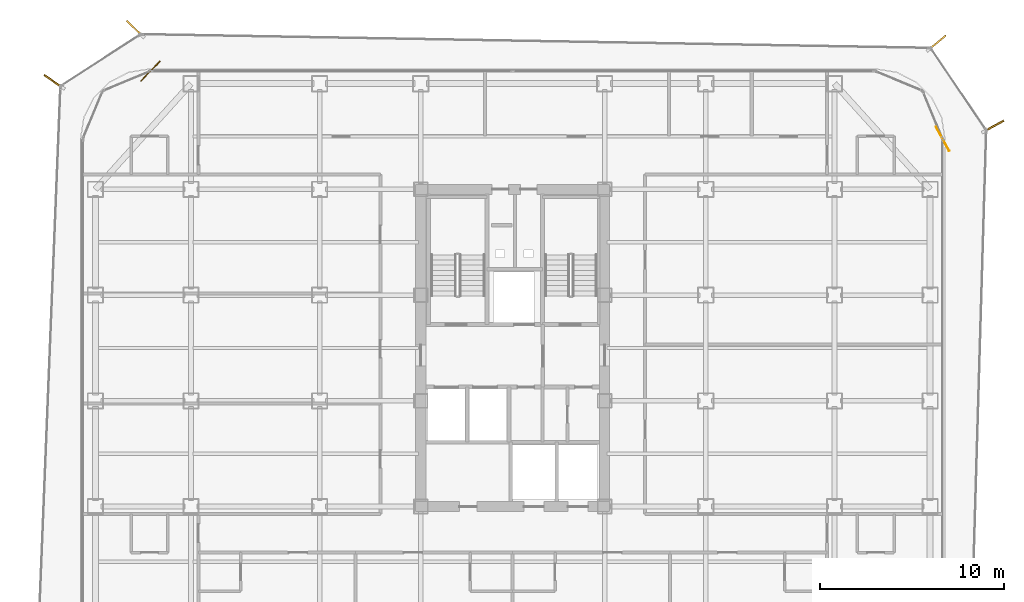
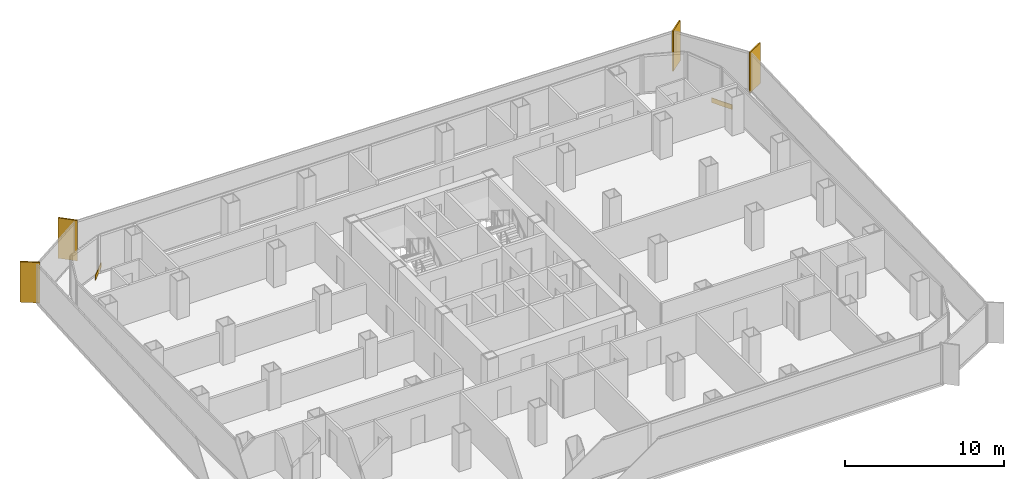
# One storey, part 21 of 21: 4 shading devices, 2 coverings.
"""IFC4 building model written with IfcOpenShell, lengths in metres."""

import ifcopenshell
import ifcopenshell.guid

model = None  # the IFC model being written
_history = None  # IfcOwnerHistory: only IFC2X3 demands one
_inside = {}  # id of a spatial element -> (the spatial element, [elements in it])
_under = {}  # id of a project, library or spatial element -> (it, [spatial elements below it])
_declared = {}  # id of a project -> (the project, [libraries it declares])
_typed = {}  # id of a type object -> (the type object, [elements of that type])
_made_of = {}  # id of a material, layer set ... -> (it, [elements and type objects made of it])


def new_model(schema):
    """Start an empty IFC model of exactly this schema.

    Asked for "IFC4X3", IfcOpenShell would pick the latest addendum, in which some entities
    have other attributes; the version numbers below select the first issue.
    IFC2X3 requires an IfcOwnerHistory on every rooted entity: one is made here for all.
    """
    global model, _history
    if schema == "IFC4X3":
        model = ifcopenshell.file(schema_version=(4, 3, 0, 0))
    else:
        model = ifcopenshell.file(schema=schema)
    _inside.clear()
    _under.clear()
    _declared.clear()
    _typed.clear()
    _made_of.clear()
    _history = None
    if model.schema == "IFC2X3":
        org = make("IfcOrganization", Name="unknown")
        user = make(
            "IfcPersonAndOrganization",
            ThePerson=make("IfcPerson", FamilyName="unknown"),
            TheOrganization=org,
        )
        app = make(
            "IfcApplication",
            ApplicationDeveloper=org,
            Version="unknown",
            ApplicationFullName="unknown",
            ApplicationIdentifier="unknown",
        )
        _history = make(
            "IfcOwnerHistory",
            OwningUser=user,
            OwningApplication=app,
            ChangeAction="ADDED",
            CreationDate=0,
        )
    return model


def make(cls, **values):
    """One entity of the class cls with the attributes given. An attribute that is None is left unset."""
    return model.create_entity(
        cls, **{name: value for name, value in values.items() if value is not None}
    )


def rooted(cls, **values):
    """An entity with a GlobalId (a new one), such as an element, a storey or a relation."""
    return make(cls, GlobalId=ifcopenshell.guid.new(), OwnerHistory=_history, **values)


def si_unit(unit_type, name, prefix=None):
    """IfcSIUnit, for example si_unit("LENGTHUNIT", "METRE", prefix="MILLI")."""
    return make("IfcSIUnit", UnitType=unit_type, Prefix=prefix, Name=name)


def assignment(units):
    """IfcUnitAssignment: the units of a project."""
    return None if units is None else make("IfcUnitAssignment", Units=units)


def point(xyz):
    """IfcCartesianPoint."""
    return None if xyz is None else make("IfcCartesianPoint", Coordinates=xyz)


def direction(xyz):
    """IfcDirection."""
    return None if xyz is None else make("IfcDirection", DirectionRatios=xyz)


def frame(location, z_axis=None, x_axis=None):
    """IfcAxis2Placement3D, a coordinate frame: its origin and axes. An axis left out is left unset."""
    return make(
        "IfcAxis2Placement3D",
        Location=point(location),
        Axis=direction(z_axis),
        RefDirection=direction(x_axis),
    )


def frame_2d(location, x_axis=None):
    """IfcAxis2Placement2D, a coordinate frame in the plane: its origin and x axis."""
    return make(
        "IfcAxis2Placement2D", Location=point(location), RefDirection=direction(x_axis)
    )


def origin():
    """The frame at (0, 0, 0) with its axes left unset."""
    return frame((0.0, 0.0, 0.0))


def origin_2d():
    """The frame at (0, 0) in the plane with its x axis left unset."""
    return frame_2d((0.0, 0.0))


def place(relative_to, where):
    """IfcLocalPlacement: puts the frame where relative to a parent placement (None: the world)."""
    return make(
        "IfcLocalPlacement", PlacementRelTo=relative_to, RelativePlacement=where
    )


def context(
    kind, dimensions, precision=None, world=None, true_north=None, identifier=None
):
    """IfcGeometricRepresentationContext, for example the 3D "Model" context."""
    return make(
        "IfcGeometricRepresentationContext",
        ContextIdentifier=identifier,
        ContextType=kind,
        CoordinateSpaceDimension=dimensions,
        Precision=precision,
        WorldCoordinateSystem=world,
        TrueNorth=true_north,
    )


def subcontext(parent, identifier, kind, view, scale=None):
    """IfcGeometricRepresentationSubContext, for example "Body" below "Model"."""
    return make(
        "IfcGeometricRepresentationSubContext",
        ContextIdentifier=identifier,
        ContextType=kind,
        ParentContext=parent,
        TargetScale=scale,
        TargetView=view,
    )


def project(units=None, contexts=None):
    """IfcProject with its units and contexts."""
    return rooted(
        "IfcProject",
        Name="project",
        RepresentationContexts=contexts,
        UnitsInContext=assignment(units),
    )


def spatial(cls, under=None, at=None, **own):
    """A site, building, storey or space (cls), placed at a placement, below another one or the project."""
    s = rooted(cls, ObjectPlacement=at, **own)
    if under is not None:
        _under.setdefault(under.id(), (under, []))[1].append(s)
    return s


def profile(cls, at=None, kind="AREA", **sizes):
    """A parametric profile (cls). Its sizes go by their IFC names, for example OverallWidth=200.0."""
    return make(cls, ProfileType=kind, Position=at, **sizes)


def rectangle(**sizes):
    """IfcRectangleProfileDef."""
    return profile("IfcRectangleProfileDef", **sizes)


def extrude(swept, where, along, depth):
    """IfcExtrudedAreaSolid: the profile swept, set in the frame where, extruded along a direction by depth."""
    return make(
        "IfcExtrudedAreaSolid",
        SweptArea=swept,
        Position=where,
        ExtrudedDirection=direction(along),
        Depth=depth,
    )


def shape(context_of_items, identifier, shape_type, items):
    """IfcShapeRepresentation: the items that make up one representation, for example the "Body"."""
    return make(
        "IfcShapeRepresentation",
        ContextOfItems=context_of_items,
        RepresentationIdentifier=identifier,
        RepresentationType=shape_type,
        Items=items,
    )


def source(mapping_origin, context_of_items, identifier, shape_type, items):
    """IfcRepresentationMap: a shape defined once, which mapped items show again and again."""
    return make(
        "IfcRepresentationMap",
        MappingOrigin=mapping_origin,
        MappedRepresentation=shape(context_of_items, identifier, shape_type, items),
    )


def transform(
    local_origin,
    x_axis=None,
    y_axis=None,
    z_axis=None,
    scale=None,
    scale2=None,
    scale3=None,
    uniform=True,
):
    """IfcCartesianTransformationOperator3D, or its non-uniform kind. x_axis, y_axis, z_axis: its Axis1, 2, 3."""
    if uniform:
        return make(
            "IfcCartesianTransformationOperator3D",
            Axis1=direction(x_axis),
            Axis2=direction(y_axis),
            LocalOrigin=point(local_origin),
            Scale=scale,
            Axis3=direction(z_axis),
        )
    return make(
        "IfcCartesianTransformationOperator3DnonUniform",
        Axis1=direction(x_axis),
        Axis2=direction(y_axis),
        LocalOrigin=point(local_origin),
        Scale=scale,
        Axis3=direction(z_axis),
        Scale2=scale2,
        Scale3=scale3,
    )


def mapped(mapping_source, mapping_target):
    """IfcMappedItem: shows the shape of a source again, moved by a transform."""
    return make(
        "IfcMappedItem", MappingSource=mapping_source, MappingTarget=mapping_target
    )


def material(Name=None, Category=None):
    """IfcMaterial."""
    return make("IfcMaterial", Name=Name, Category=Category)


def layer(
    of_material, thickness, ventilated=None, Name=None, Category=None, Priority=None
):
    """IfcMaterialLayer: one layer of a wall or slab, of a material (None: an air gap)."""
    return make(
        "IfcMaterialLayer",
        Material=of_material,
        LayerThickness=thickness,
        IsVentilated=ventilated,
        Name=Name,
        Category=Category,
        Priority=Priority,
    )


def layer_set(layers, Name=None):
    """IfcMaterialLayerSet."""
    return make("IfcMaterialLayerSet", MaterialLayers=layers, LayerSetName=Name)


def made_of(thing, what):
    """Note that an element or type object is made of a material, layer set ...; save() writes the relation."""
    if what is not None:
        _made_of.setdefault(what.id(), (what, []))[1].append(thing)
    return thing


def type_object(cls, material=None, **own):
    """A type object (cls), such as IfcWallType, which elements share."""
    return made_of(rooted(cls, **own), material)


def element(
    cls,
    number,
    at=None,
    inside=None,
    cuts=None,
    type_object=None,
    material=None,
    context=None,
    identifier="Body",
    shape_type=None,
    held_by="IfcProductDefinitionShape",
    body=None,
    shapes=None,
    **own,
):
    """One element of the class cls, such as IfcWall. Its Tag is "e" and its number.

    at: its placement. inside: the storey or other place that contains it. cuts: it is an
    opening in that element (IfcRelVoidsElement). A single representation is given by context,
    identifier, shape_type and body (its items); several are given by shapes. held_by: the class
    of the entity that holds the representations. save() writes the other relations.
    """
    e = rooted(cls, Tag="e%d" % number, ObjectPlacement=at, **own)
    if body is not None:
        shapes = [shape(context, identifier, shape_type, body)]
    if shapes is not None:
        e.Representation = make(held_by, Representations=shapes)
    if inside is not None:
        _inside.setdefault(inside.id(), (inside, []))[1].append(e)
    if cuts is not None:
        rooted(
            "IfcRelVoidsElement", RelatingBuildingElement=cuts, RelatedOpeningElement=e
        )
    if type_object is not None:
        _typed.setdefault(type_object.id(), (type_object, []))[1].append(e)
    return made_of(e, material)


def aggregate(whole, parts):
    """IfcRelAggregates: a whole, such as a stair, and the parts it consists of."""
    return rooted("IfcRelAggregates", RelatingObject=whole, RelatedObjects=parts)


def save(model, path):
    """Write the relations noted so far, then the file.

    IfcRelAggregates (storeys below a building ...), IfcRelContainedInSpatialStructure (elements
    in a storey), IfcRelDefinesByType, IfcRelAssociatesMaterial and IfcRelDeclares: one each for
    every whole, place, type object, material and project.
    """
    for whole, parts in _under.values():
        aggregate(whole, parts)
    for where, things in _inside.values():
        rooted(
            "IfcRelContainedInSpatialStructure",
            RelatedElements=things,
            RelatingStructure=where,
        )
    for kind, things in _typed.values():
        rooted("IfcRelDefinesByType", RelatedObjects=things, RelatingType=kind)
    for what, things in _made_of.values():
        rooted("IfcRelAssociatesMaterial", RelatedObjects=things, RelatingMaterial=what)
    for by, libraries in _declared.values():
        rooted("IfcRelDeclares", RelatingContext=by, RelatedDefinitions=libraries)
    model.write(path)


model = new_model("IFC4")

# Units and contexts
model_context = context("Model", 3, precision=1e-05, world=origin(), true_north=direction((0.0, 1.0)))
body_context = subcontext(model_context, "Body", "Model", "MODEL_VIEW")
ifc_project = project(units=[si_unit("LENGTHUNIT", "METRE"), si_unit("AREAUNIT", "SQUARE_METRE"), si_unit("VOLUMEUNIT", "CUBIC_METRE"), si_unit("PLANEANGLEUNIT", "RADIAN"), si_unit("MASSUNIT", "GRAM", prefix="KILO")], contexts=[model_context])

# Site, building, storey
site_placement = place(None, origin())
site = spatial("IfcSite", under=ifc_project, at=site_placement, CompositionType="ELEMENT")
building_placement = place(site_placement, origin())
building = spatial("IfcBuilding", under=site, at=building_placement, Name="Kolveth Station Tower", CompositionType="ELEMENT")
storey_placement = place(building_placement, frame((0.0, 0.0, 108.699951171875)))
storey = spatial("IfcBuildingStorey", under=building, at=storey_placement, Name="L29", CompositionType="ELEMENT", Elevation=108.699951171875)

# Shading devices
ifc_material_1 = material(Name="Black anodized aluminium 6063-T6", Category="aluminium")
shading_device_type = type_object("IfcShadingDeviceType", Name="FIN_VF1", PredefinedType="USERDEFINED", material=ifc_material_1)
shared_shape_1 = source(origin(), body_context, "Body", "SweptSolid", [
    extrude(rectangle(XDim=1.25, YDim=0.090087890625, at=origin_2d()), origin(), (0.0, 0.0, 1.0), 3.10009765625),
])
for number, where, z_axis, x_axis, name in (
    (1, (49.65087890625, 32.18310546875, 0.0), (0.0, 0.0, 1.0), (0.874111536221, 0.485725253868, 0.0), "L29 Dark-Aluminium Solar Fin 3"),
    (2, (46.580078125, 36.72607421875, 0.0), (0.0, 0.0, 1.0), (0.770846891561, 0.6370204626, 0.0), "L29 Dark-Aluminium Solar Fin 4"),
    (3, (2.946044921875, 37.49609375, 0.0), (0.0, 0.0, 1.0), (-0.719339800339, 0.694658370459, 0.0), "L29 Dark-Aluminium Solar Fin 5"),
    (4, (-1.462890625, 34.614990234375, 0.0), (0.0, 0.0, 1.0), (-0.827080574275, 0.562083377852, 0.0), "L29 Dark-Aluminium Solar Fin 6"),
):
    element("IfcShadingDevice", number, at=place(storey_placement, frame(where, z_axis=z_axis, x_axis=x_axis)), inside=storey, type_object=shading_device_type, Name=name, ObjectType="FIN", PredefinedType="USERDEFINED", context=body_context, shape_type="MappedRepresentation", body=[
        mapped(shared_shape_1, transform((0.0, 0.0, 0.0), x_axis=(1.0, 0.0, 0.0), y_axis=(0.0, 1.0, 0.0), z_axis=(0.0, 0.0, 1.0), scale=1.0)),
    ])

# Coverings
ifc_material_2 = material(Name="Charcoal anodized aluminium spandrel cladding", Category="aluminium")
ifc_layer = layer(ifc_material_2, 0.044921875)
ifc_layer_set = layer_set([ifc_layer], Name="Charcoal anodized aluminium spandrel cladding")
covering_type = type_object("IfcCoveringType", Name="Clad_CD1", PredefinedType="CLADDING", material=ifc_layer_set)
shared_shape_2 = source(origin(), body_context, "Body", "SweptSolid", [
    extrude(rectangle(XDim=1.5, YDim=0.044921875, at=origin_2d()), origin(), (0.0, 0.0, 1.0), 0.360107421875),
])
for number, where, z_axis, x_axis, name in (
    (5, (46.8798828125, 31.5, 0.0), (0.0, 0.0, 1.0), (-0.485725253868, 0.874111536221, 0.0), "L29 Spandrel Edge Cladding 3"),
    (6, (3.800048828125, 35.179931640625, 0.0), (0.0, 0.0, 1.0), (-0.694658370459, -0.719339800339, 0.0), "L29 Spandrel Edge Cladding 5"),
):
    element("IfcCovering", number, at=place(storey_placement, frame(where, z_axis=z_axis, x_axis=x_axis)), inside=storey, type_object=covering_type, Name=name, PredefinedType="CLADDING", context=body_context, shape_type="MappedRepresentation", body=[
        mapped(shared_shape_2, transform((0.0, 0.0, 0.0), x_axis=(1.0, 0.0, 0.0), y_axis=(0.0, 1.0, 0.0), z_axis=(0.0, 0.0, 1.0), scale=1.0)),
    ])

save(model, "model.ifc")
